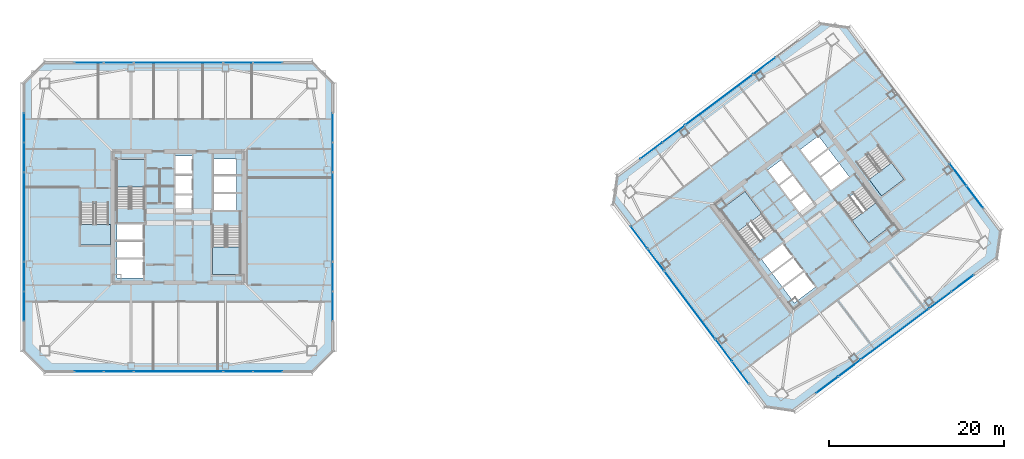
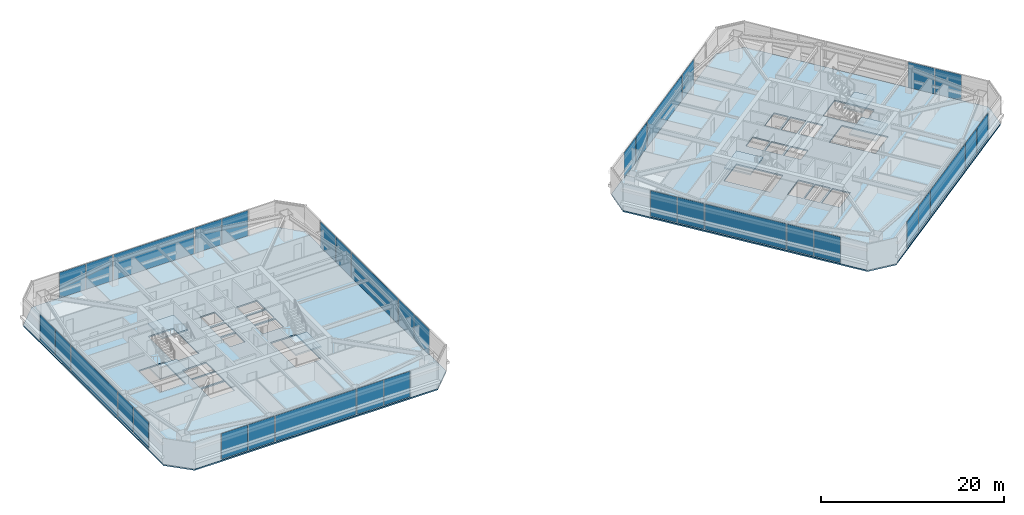
# One storey, part 31 of 43: 36 plates, 8 slabs, 28 elements without a shape of their own.
"""IFC4 building model written with IfcOpenShell, lengths in metres."""

from ifc_helpers import new_model, si_unit, direction, frame, origin, origin_2d, place, context, subcontext, project, spatial, polyline, rectangle, outline, extrude, material, layer, layer_set, type_object, element, aggregate, save


model = new_model("IFC4")

# Units and contexts
model_context = context("Model", 3, precision=1e-05, world=origin(), true_north=direction((0.0, 1.0)))
body_context = subcontext(model_context, "Body", "Model", "MODEL_VIEW")
ifc_project = project(units=[si_unit("LENGTHUNIT", "METRE"), si_unit("AREAUNIT", "SQUARE_METRE"), si_unit("VOLUMEUNIT", "CUBIC_METRE"), si_unit("PLANEANGLEUNIT", "RADIAN"), si_unit("MASSUNIT", "GRAM", prefix="KILO")], contexts=[model_context])

# Site, building, storey
site_placement = place(None, origin())
site = spatial("IfcSite", under=ifc_project, at=site_placement, CompositionType="ELEMENT")
building_placement = place(site_placement, origin())
building = spatial("IfcBuilding", under=site, at=building_placement, Name="Tashvorn Skyway Center", CompositionType="ELEMENT")
storey_placement = place(building_placement, frame((0.0, 0.0, 160.550048828125)))
storey = spatial("IfcBuildingStorey", under=building, at=storey_placement, Name="L43", CompositionType="ELEMENT", Elevation=160.550048828125)

# Curtain wall, plates
ifc_material_1 = material(Name="Thermally broken bronze-anodized aluminium 6063-T6", Category="aluminium")
curtain_wall_type = type_object("IfcCurtainWallType", Name="CW-CW-Z4", PredefinedType="NOTDEFINED", material=ifc_material_1)
curtain_wall_1_placement = place(storey_placement, origin())
curtain_wall_1 = element("IfcCurtainWall", 1, at=curtain_wall_1_placement, inside=storey, type_object=curtain_wall_type, Name="Tower 1 L43 South Unitised Curtain Wall Glazing Group 1", PredefinedType="NOTDEFINED")
ifc_material_2 = material(Name="Low-E solar-control double insulating safety glass", Category="glass")
ifc_layer_1 = layer(ifc_material_2, 0.035888671875)
ifc_layer_set_1 = layer_set([ifc_layer_1], Name="Low-E solar-control double insulating safety glass")
plate_type = type_object("IfcPlateType", Name="CWP-CW-Z4", PredefinedType="CURTAIN_PANEL", material=ifc_layer_set_1)
plate_1_placement = place(storey_placement, frame((52.23583984375, 14.320068359375, 0.06982421875), z_axis=(0.0, 0.0, 1.0), x_axis=(-1.0, 0.0, 0.0)))
plate_1 = element("IfcPlate", 2, at=plate_1_placement, type_object=plate_type, Name="CW-Z4 panel 1.1", PredefinedType="CURTAIN_PANEL", context=body_context, shape_type="SweptSolid", body=[
    extrude(rectangle(XDim=3.312744140625, YDim=0.035888671875, at=origin_2d()), origin(), (0.0, 0.0, 1.0), 3.409912109375),
])
plate_2_placement = place(storey_placement, frame((48.85302734375, 14.320068359375, 0.06982421875), z_axis=(0.0, 0.0, 1.0), x_axis=(-1.0, 0.0, 0.0)))
plate_2 = element("IfcPlate", 3, at=plate_2_placement, type_object=plate_type, Name="CW-Z4 panel 2.1", PredefinedType="CURTAIN_PANEL", context=body_context, shape_type="SweptSolid", body=[
    extrude(rectangle(XDim=3.312744140625, YDim=0.035888671875, at=origin_2d()), origin(), (0.0, 0.0, 1.0), 3.409912109375),
])
aggregate(curtain_wall_1, [plate_1, plate_2])

# Curtain wall, plate
curtain_wall_2_placement = place(storey_placement, origin())
curtain_wall_2 = element("IfcCurtainWall", 4, at=curtain_wall_2_placement, inside=storey, type_object=curtain_wall_type, Name="Tower 1 L43 South Unitised Curtain Wall Glazing Group 2", PredefinedType="NOTDEFINED")
plate_3_placement = place(storey_placement, frame((42.0, 14.320068359375, 0.06982421875), z_axis=(0.0, 0.0, 1.0), x_axis=(-1.0, 0.0, 0.0)))
plate_3 = element("IfcPlate", 5, at=plate_3_placement, type_object=plate_type, Name="CW-Z4 panel 1.1", PredefinedType="CURTAIN_PANEL", context=body_context, shape_type="SweptSolid", body=[
    extrude(rectangle(XDim=10.11328125, YDim=0.035888671875, at=origin_2d()), origin(), (0.0, 0.0, 1.0), 3.409912109375),
])
aggregate(curtain_wall_2, [plate_3])

# Curtain wall, plates
curtain_wall_3_placement = place(storey_placement, origin())
curtain_wall_3 = element("IfcCurtainWall", 6, at=curtain_wall_3_placement, inside=storey, type_object=curtain_wall_type, Name="Tower 1 L43 South Unitised Curtain Wall Glazing Group 3", PredefinedType="NOTDEFINED")
plate_4_placement = place(storey_placement, frame((35.14697265625, 14.320068359375, 0.06982421875), z_axis=(0.0, 0.0, 1.0), x_axis=(-1.0, 0.0, 0.0)))
plate_4 = element("IfcPlate", 7, at=plate_4_placement, type_object=plate_type, Name="CW-Z4 panel 1.1", PredefinedType="CURTAIN_PANEL", context=body_context, shape_type="SweptSolid", body=[
    extrude(rectangle(XDim=3.312744140625, YDim=0.035888671875, at=origin_2d()), origin(), (0.0, 0.0, 1.0), 3.409912109375),
])
plate_5_placement = place(storey_placement, frame((31.76416015625, 14.320068359375, 0.06982421875), z_axis=(0.0, 0.0, 1.0), x_axis=(-1.0, 0.0, 0.0)))
plate_5 = element("IfcPlate", 8, at=plate_5_placement, type_object=plate_type, Name="CW-Z4 panel 2.1", PredefinedType="CURTAIN_PANEL", context=body_context, shape_type="SweptSolid", body=[
    extrude(rectangle(XDim=3.312744140625, YDim=0.035888671875, at=origin_2d()), origin(), (0.0, 0.0, 1.0), 3.409912109375),
])
aggregate(curtain_wall_3, [plate_4, plate_5])

curtain_wall_4_placement = place(storey_placement, origin())
curtain_wall_4 = element("IfcCurtainWall", 9, at=curtain_wall_4_placement, inside=storey, type_object=curtain_wall_type, Name="Tower 1 L43 West Unitised Curtain Wall Glazing Group 1", PredefinedType="NOTDEFINED")
plate_6_placement = place(storey_placement, frame((24.320068359375, 21.76416015625, 0.06982421875), z_axis=(0.0, 0.0, 1.0), x_axis=(0.0, 1.0, 0.0)))
plate_6 = element("IfcPlate", 10, at=plate_6_placement, type_object=plate_type, Name="CW-Z4 panel 1.1", PredefinedType="CURTAIN_PANEL", context=body_context, shape_type="SweptSolid", body=[
    extrude(rectangle(XDim=3.312744140625, YDim=0.035888671875, at=origin_2d()), origin(), (0.0, 0.0, 1.0), 3.409912109375),
])
plate_7_placement = place(storey_placement, frame((24.320068359375, 25.14697265625, 0.06982421875), z_axis=(0.0, 0.0, 1.0), x_axis=(0.0, 1.0, 0.0)))
plate_7 = element("IfcPlate", 11, at=plate_7_placement, type_object=plate_type, Name="CW-Z4 panel 2.1", PredefinedType="CURTAIN_PANEL", context=body_context, shape_type="SweptSolid", body=[
    extrude(rectangle(XDim=3.312744140625, YDim=0.035888671875, at=origin_2d()), origin(), (0.0, 0.0, 1.0), 3.409912109375),
])
aggregate(curtain_wall_4, [plate_6, plate_7])

# Curtain wall, plate
curtain_wall_5_placement = place(storey_placement, origin())
curtain_wall_5 = element("IfcCurtainWall", 12, at=curtain_wall_5_placement, inside=storey, type_object=curtain_wall_type, Name="Tower 1 L43 West Unitised Curtain Wall Glazing Group 2", PredefinedType="NOTDEFINED")
plate_8_placement = place(storey_placement, frame((24.320068359375, 32.0, 0.06982421875), z_axis=(0.0, 0.0, 1.0), x_axis=(0.0, 1.0, 0.0)))
plate_8 = element("IfcPlate", 13, at=plate_8_placement, type_object=plate_type, Name="CW-Z4 panel 1.1", PredefinedType="CURTAIN_PANEL", context=body_context, shape_type="SweptSolid", body=[
    extrude(rectangle(XDim=10.11328125, YDim=0.035888671875, at=origin_2d()), origin(), (0.0, 0.0, 1.0), 3.409912109375),
])
aggregate(curtain_wall_5, [plate_8])

# Curtain wall, plates
curtain_wall_6_placement = place(storey_placement, origin())
curtain_wall_6 = element("IfcCurtainWall", 14, at=curtain_wall_6_placement, inside=storey, type_object=curtain_wall_type, Name="Tower 1 L43 West Unitised Curtain Wall Glazing Group 3", PredefinedType="NOTDEFINED")
plate_9_placement = place(storey_placement, frame((24.320068359375, 38.85302734375, 0.06982421875), z_axis=(0.0, 0.0, 1.0), x_axis=(0.0, 1.0, 0.0)))
plate_9 = element("IfcPlate", 15, at=plate_9_placement, type_object=plate_type, Name="CW-Z4 panel 1.1", PredefinedType="CURTAIN_PANEL", context=body_context, shape_type="SweptSolid", body=[
    extrude(rectangle(XDim=3.312744140625, YDim=0.035888671875, at=origin_2d()), origin(), (0.0, 0.0, 1.0), 3.409912109375),
])
plate_10_placement = place(storey_placement, frame((24.320068359375, 42.23583984375, 0.06982421875), z_axis=(0.0, 0.0, 1.0), x_axis=(0.0, 1.0, 0.0)))
plate_10 = element("IfcPlate", 16, at=plate_10_placement, type_object=plate_type, Name="CW-Z4 panel 2.1", PredefinedType="CURTAIN_PANEL", context=body_context, shape_type="SweptSolid", body=[
    extrude(rectangle(XDim=3.312744140625, YDim=0.035888671875, at=origin_2d()), origin(), (0.0, 0.0, 1.0), 3.409912109375),
])
aggregate(curtain_wall_6, [plate_9, plate_10])

curtain_wall_7_placement = place(storey_placement, origin())
curtain_wall_7 = element("IfcCurtainWall", 17, at=curtain_wall_7_placement, inside=storey, type_object=curtain_wall_type, Name="Tower 1 L43 North Unitised Curtain Wall Glazing Group 1", PredefinedType="NOTDEFINED")
plate_11_placement = place(storey_placement, frame((31.76416015625, 49.679931640625, 0.06982421875), z_axis=(0.0, 0.0, 1.0), x_axis=(1.0, 0.0, 0.0)))
plate_11 = element("IfcPlate", 18, at=plate_11_placement, type_object=plate_type, Name="CW-Z4 panel 1.1", PredefinedType="CURTAIN_PANEL", context=body_context, shape_type="SweptSolid", body=[
    extrude(rectangle(XDim=3.312744140625, YDim=0.035888671875, at=origin_2d()), origin(), (0.0, 0.0, 1.0), 3.409912109375),
])
plate_12_placement = place(storey_placement, frame((35.14697265625, 49.679931640625, 0.06982421875), z_axis=(0.0, 0.0, 1.0), x_axis=(1.0, 0.0, 0.0)))
plate_12 = element("IfcPlate", 19, at=plate_12_placement, type_object=plate_type, Name="CW-Z4 panel 2.1", PredefinedType="CURTAIN_PANEL", context=body_context, shape_type="SweptSolid", body=[
    extrude(rectangle(XDim=3.312744140625, YDim=0.035888671875, at=origin_2d()), origin(), (0.0, 0.0, 1.0), 3.409912109375),
])
aggregate(curtain_wall_7, [plate_11, plate_12])

# Curtain wall, plate
curtain_wall_8_placement = place(storey_placement, origin())
curtain_wall_8 = element("IfcCurtainWall", 20, at=curtain_wall_8_placement, inside=storey, type_object=curtain_wall_type, Name="Tower 1 L43 North Unitised Curtain Wall Glazing Group 2", PredefinedType="NOTDEFINED")
plate_13_placement = place(storey_placement, frame((42.0, 49.679931640625, 0.06982421875), z_axis=(0.0, 0.0, 1.0), x_axis=(1.0, 0.0, 0.0)))
plate_13 = element("IfcPlate", 21, at=plate_13_placement, type_object=plate_type, Name="CW-Z4 panel 1.1", PredefinedType="CURTAIN_PANEL", context=body_context, shape_type="SweptSolid", body=[
    extrude(rectangle(XDim=10.11328125, YDim=0.035888671875, at=origin_2d()), origin(), (0.0, 0.0, 1.0), 3.409912109375),
])
aggregate(curtain_wall_8, [plate_13])

# Curtain wall, plates
curtain_wall_9_placement = place(storey_placement, origin())
curtain_wall_9 = element("IfcCurtainWall", 22, at=curtain_wall_9_placement, inside=storey, type_object=curtain_wall_type, Name="Tower 1 L43 North Unitised Curtain Wall Glazing Group 3", PredefinedType="NOTDEFINED")
plate_14_placement = place(storey_placement, frame((48.85302734375, 49.679931640625, 0.06982421875), z_axis=(0.0, 0.0, 1.0), x_axis=(1.0, 0.0, 0.0)))
plate_14 = element("IfcPlate", 23, at=plate_14_placement, type_object=plate_type, Name="CW-Z4 panel 1.1", PredefinedType="CURTAIN_PANEL", context=body_context, shape_type="SweptSolid", body=[
    extrude(rectangle(XDim=3.312744140625, YDim=0.035888671875, at=origin_2d()), origin(), (0.0, 0.0, 1.0), 3.409912109375),
])
plate_15_placement = place(storey_placement, frame((52.23583984375, 49.679931640625, 0.06982421875), z_axis=(0.0, 0.0, 1.0), x_axis=(1.0, 0.0, 0.0)))
plate_15 = element("IfcPlate", 24, at=plate_15_placement, type_object=plate_type, Name="CW-Z4 panel 2.1", PredefinedType="CURTAIN_PANEL", context=body_context, shape_type="SweptSolid", body=[
    extrude(rectangle(XDim=3.312744140625, YDim=0.035888671875, at=origin_2d()), origin(), (0.0, 0.0, 1.0), 3.409912109375),
])
aggregate(curtain_wall_9, [plate_14, plate_15])

curtain_wall_10_placement = place(storey_placement, origin())
curtain_wall_10 = element("IfcCurtainWall", 25, at=curtain_wall_10_placement, inside=storey, type_object=curtain_wall_type, Name="Tower 1 L43 East Unitised Curtain Wall Glazing Group 1", PredefinedType="NOTDEFINED")
plate_16_placement = place(storey_placement, frame((59.679931640625, 42.23583984375, 0.06982421875), z_axis=(0.0, 0.0, 1.0), x_axis=(0.0, -1.0, 0.0)))
plate_16 = element("IfcPlate", 26, at=plate_16_placement, type_object=plate_type, Name="CW-Z4 panel 1.1", PredefinedType="CURTAIN_PANEL", context=body_context, shape_type="SweptSolid", body=[
    extrude(rectangle(XDim=3.312744140625, YDim=0.035888671875, at=origin_2d()), origin(), (0.0, 0.0, 1.0), 3.409912109375),
])
plate_17_placement = place(storey_placement, frame((59.679931640625, 38.85302734375, 0.06982421875), z_axis=(0.0, 0.0, 1.0), x_axis=(0.0, -1.0, 0.0)))
plate_17 = element("IfcPlate", 27, at=plate_17_placement, type_object=plate_type, Name="CW-Z4 panel 2.1", PredefinedType="CURTAIN_PANEL", context=body_context, shape_type="SweptSolid", body=[
    extrude(rectangle(XDim=3.312744140625, YDim=0.035888671875, at=origin_2d()), origin(), (0.0, 0.0, 1.0), 3.409912109375),
])
aggregate(curtain_wall_10, [plate_16, plate_17])

# Curtain wall, plate
curtain_wall_11_placement = place(storey_placement, origin())
curtain_wall_11 = element("IfcCurtainWall", 28, at=curtain_wall_11_placement, inside=storey, type_object=curtain_wall_type, Name="Tower 1 L43 East Unitised Curtain Wall Glazing Group 2", PredefinedType="NOTDEFINED")
plate_18_placement = place(storey_placement, frame((59.679931640625, 32.0, 0.06982421875), z_axis=(0.0, 0.0, 1.0), x_axis=(0.0, -1.0, 0.0)))
plate_18 = element("IfcPlate", 29, at=plate_18_placement, type_object=plate_type, Name="CW-Z4 panel 1.1", PredefinedType="CURTAIN_PANEL", context=body_context, shape_type="SweptSolid", body=[
    extrude(rectangle(XDim=10.11328125, YDim=0.035888671875, at=origin_2d()), origin(), (0.0, 0.0, 1.0), 3.409912109375),
])
aggregate(curtain_wall_11, [plate_18])

# Curtain wall, plates
curtain_wall_12_placement = place(storey_placement, origin())
curtain_wall_12 = element("IfcCurtainWall", 30, at=curtain_wall_12_placement, inside=storey, type_object=curtain_wall_type, Name="Tower 1 L43 East Unitised Curtain Wall Glazing Group 3", PredefinedType="NOTDEFINED")
plate_19_placement = place(storey_placement, frame((59.679931640625, 25.14697265625, 0.06982421875), z_axis=(0.0, 0.0, 1.0), x_axis=(0.0, -1.0, 0.0)))
plate_19 = element("IfcPlate", 31, at=plate_19_placement, type_object=plate_type, Name="CW-Z4 panel 1.1", PredefinedType="CURTAIN_PANEL", context=body_context, shape_type="SweptSolid", body=[
    extrude(rectangle(XDim=3.312744140625, YDim=0.035888671875, at=origin_2d()), origin(), (0.0, 0.0, 1.0), 3.409912109375),
])
plate_20_placement = place(storey_placement, frame((59.679931640625, 21.76416015625, 0.06982421875), z_axis=(0.0, 0.0, 1.0), x_axis=(0.0, -1.0, 0.0)))
plate_20 = element("IfcPlate", 32, at=plate_20_placement, type_object=plate_type, Name="CW-Z4 panel 2.1", PredefinedType="CURTAIN_PANEL", context=body_context, shape_type="SweptSolid", body=[
    extrude(rectangle(XDim=3.312744140625, YDim=0.035888671875, at=origin_2d()), origin(), (0.0, 0.0, 1.0), 3.409912109375),
])
aggregate(curtain_wall_12, [plate_19, plate_20])

curtain_wall_13_placement = place(storey_placement, origin())
curtain_wall_13 = element("IfcCurtainWall", 33, at=curtain_wall_13_placement, inside=storey, type_object=curtain_wall_type, Name="Tower 2 L43 South Unitised Curtain Wall Glazing Group 1", PredefinedType="NOTDEFINED")
plate_21_placement = place(storey_placement, frame((131.830078125, 24.3974609375, 0.06982421875), z_axis=(0.0, 0.0, 1.0), x_axis=(-0.799999999998, -0.600000000002, 0.0)))
plate_21 = element("IfcPlate", 34, at=plate_21_placement, type_object=plate_type, Name="CW-Z4 panel 1.1", PredefinedType="CURTAIN_PANEL", context=body_context, shape_type="SweptSolid", body=[
    extrude(rectangle(XDim=3.135009765625, YDim=0.035888671875, at=origin_2d()), origin(), (0.0, 0.0, 1.0), 3.409912109375),
])
plate_22_placement = place(storey_placement, frame((129.26611328125, 22.474609375, 0.06982421875), z_axis=(0.0, 0.0, 1.0), x_axis=(-0.799999999998, -0.600000000002, 0.0)))
plate_22 = element("IfcPlate", 35, at=plate_22_placement, type_object=plate_type, Name="CW-Z4 panel 2.1", PredefinedType="CURTAIN_PANEL", context=body_context, shape_type="SweptSolid", body=[
    extrude(rectangle(XDim=3.135009765625, YDim=0.035888671875, at=origin_2d()), origin(), (0.0, 0.0, 1.0), 3.409912109375),
])
aggregate(curtain_wall_13, [plate_21, plate_22])

# Curtain wall, plate
curtain_wall_14_placement = place(storey_placement, origin())
curtain_wall_14 = element("IfcCurtainWall", 36, at=curtain_wall_14_placement, inside=storey, type_object=curtain_wall_type, Name="Tower 2 L43 South Unitised Curtain Wall Glazing Group 2", PredefinedType="NOTDEFINED")
plate_23_placement = place(storey_placement, frame((124.068115234375, 18.575927734375, 0.06982421875), z_axis=(0.0, 0.0, 1.0), x_axis=(-0.799999999998, -0.600000000002, 0.0)))
plate_23 = element("IfcPlate", 37, at=plate_23_placement, type_object=plate_type, Name="CW-Z4 panel 1.1", PredefinedType="CURTAIN_PANEL", context=body_context, shape_type="SweptSolid", body=[
    extrude(rectangle(XDim=9.580078125, YDim=0.035888671875, at=origin_2d()), origin(), (0.0, 0.0, 1.0), 3.409912109375),
])
aggregate(curtain_wall_14, [plate_23])

# Curtain wall, plates
curtain_wall_15_placement = place(storey_placement, origin())
curtain_wall_15 = element("IfcCurtainWall", 38, at=curtain_wall_15_placement, inside=storey, type_object=curtain_wall_type, Name="Tower 2 L43 South Unitised Curtain Wall Glazing Group 3", PredefinedType="NOTDEFINED")
plate_24_placement = place(storey_placement, frame((118.8701171875, 14.677490234375, 0.06982421875), z_axis=(0.0, 0.0, 1.0), x_axis=(-0.799999999998, -0.600000000002, 0.0)))
plate_24 = element("IfcPlate", 39, at=plate_24_placement, type_object=plate_type, Name="CW-Z4 panel 1.1", PredefinedType="CURTAIN_PANEL", context=body_context, shape_type="SweptSolid", body=[
    extrude(rectangle(XDim=3.135009765625, YDim=0.035888671875, at=origin_2d()), origin(), (0.0, 0.0, 1.0), 3.409912109375),
])
plate_25_placement = place(storey_placement, frame((116.305908203125, 12.75439453125, 0.06982421875), z_axis=(0.0, 0.0, 1.0), x_axis=(-0.799999999998, -0.600000000002, 0.0)))
plate_25 = element("IfcPlate", 40, at=plate_25_placement, type_object=plate_type, Name="CW-Z4 panel 2.1", PredefinedType="CURTAIN_PANEL", context=body_context, shape_type="SweptSolid", body=[
    extrude(rectangle(XDim=3.135009765625, YDim=0.035888671875, at=origin_2d()), origin(), (0.0, 0.0, 1.0), 3.409912109375),
])
aggregate(curtain_wall_15, [plate_24, plate_25])

curtain_wall_16_placement = place(storey_placement, origin())
curtain_wall_16 = element("IfcCurtainWall", 41, at=curtain_wall_16_placement, inside=storey, type_object=curtain_wall_type, Name="Tower 2 L43 West Unitised Curtain Wall Glazing Group 1", PredefinedType="NOTDEFINED")
plate_26_placement = place(storey_placement, frame((106.3974609375, 14.169921875, 0.06982421875), z_axis=(0.0, 0.0, 1.0), x_axis=(-0.600000000002, 0.799999999998, 0.0)))
plate_26 = element("IfcPlate", 42, at=plate_26_placement, type_object=plate_type, Name="CW-Z4 panel 1.1", PredefinedType="CURTAIN_PANEL", context=body_context, shape_type="SweptSolid", body=[
    extrude(rectangle(XDim=3.135009765625, YDim=0.035888671875, at=origin_2d()), origin(), (0.0, 0.0, 1.0), 3.409912109375),
])
plate_27_placement = place(storey_placement, frame((104.474609375, 16.73388671875, 0.06982421875), z_axis=(0.0, 0.0, 1.0), x_axis=(-0.600000000002, 0.799999999998, 0.0)))
plate_27 = element("IfcPlate", 43, at=plate_27_placement, type_object=plate_type, Name="CW-Z4 panel 2.1", PredefinedType="CURTAIN_PANEL", context=body_context, shape_type="SweptSolid", body=[
    extrude(rectangle(XDim=3.135009765625, YDim=0.035888671875, at=origin_2d()), origin(), (0.0, 0.0, 1.0), 3.409912109375),
])
aggregate(curtain_wall_16, [plate_26, plate_27])

# Curtain wall, plate
curtain_wall_17_placement = place(storey_placement, origin())
curtain_wall_17 = element("IfcCurtainWall", 44, at=curtain_wall_17_placement, inside=storey, type_object=curtain_wall_type, Name="Tower 2 L43 West Unitised Curtain Wall Glazing Group 2", PredefinedType="NOTDEFINED")
plate_28_placement = place(storey_placement, frame((100.575927734375, 21.931884765625, 0.06982421875), z_axis=(0.0, 0.0, 1.0), x_axis=(-0.600000000002, 0.799999999998, 0.0)))
plate_28 = element("IfcPlate", 45, at=plate_28_placement, type_object=plate_type, Name="CW-Z4 panel 1.1", PredefinedType="CURTAIN_PANEL", context=body_context, shape_type="SweptSolid", body=[
    extrude(rectangle(XDim=9.580078125, YDim=0.035888671875, at=origin_2d()), origin(), (0.0, 0.0, 1.0), 3.409912109375),
])
aggregate(curtain_wall_17, [plate_28])

# Curtain wall, plates
curtain_wall_18_placement = place(storey_placement, origin())
curtain_wall_18 = element("IfcCurtainWall", 46, at=curtain_wall_18_placement, inside=storey, type_object=curtain_wall_type, Name="Tower 2 L43 West Unitised Curtain Wall Glazing Group 3", PredefinedType="NOTDEFINED")
plate_29_placement = place(storey_placement, frame((96.677490234375, 27.1298828125, 0.06982421875), z_axis=(0.0, 0.0, 1.0), x_axis=(-0.600000000002, 0.799999999998, 0.0)))
plate_29 = element("IfcPlate", 47, at=plate_29_placement, type_object=plate_type, Name="CW-Z4 panel 1.1", PredefinedType="CURTAIN_PANEL", context=body_context, shape_type="SweptSolid", body=[
    extrude(rectangle(XDim=3.135009765625, YDim=0.035888671875, at=origin_2d()), origin(), (0.0, 0.0, 1.0), 3.409912109375),
])
plate_30_placement = place(storey_placement, frame((94.75439453125, 29.694091796875, 0.06982421875), z_axis=(0.0, 0.0, 1.0), x_axis=(-0.600000000002, 0.799999999998, 0.0)))
plate_30 = element("IfcPlate", 48, at=plate_30_placement, type_object=plate_type, Name="CW-Z4 panel 2.1", PredefinedType="CURTAIN_PANEL", context=body_context, shape_type="SweptSolid", body=[
    extrude(rectangle(XDim=3.135009765625, YDim=0.035888671875, at=origin_2d()), origin(), (0.0, 0.0, 1.0), 3.409912109375),
])
aggregate(curtain_wall_18, [plate_29, plate_30])

curtain_wall_19_placement = place(storey_placement, origin())
curtain_wall_19 = element("IfcCurtainWall", 49, at=curtain_wall_19_placement, inside=storey, type_object=curtain_wall_type, Name="Tower 2 L43 North Unitised Curtain Wall Glazing Group 1", PredefinedType="NOTDEFINED")
plate_31_placement = place(storey_placement, frame((96.169921875, 39.6025390625, 0.06982421875), z_axis=(0.0, 0.0, 1.0), x_axis=(0.799999999998, 0.600000000002, 0.0)))
plate_31 = element("IfcPlate", 50, at=plate_31_placement, type_object=plate_type, Name="CW-Z4 panel 1.1", PredefinedType="CURTAIN_PANEL", context=body_context, shape_type="SweptSolid", body=[
    extrude(rectangle(XDim=3.135009765625, YDim=0.035888671875, at=origin_2d()), origin(), (0.0, 0.0, 1.0), 3.409912109375),
])
plate_32_placement = place(storey_placement, frame((98.73388671875, 41.525390625, 0.06982421875), z_axis=(0.0, 0.0, 1.0), x_axis=(0.799999999998, 0.600000000002, 0.0)))
plate_32 = element("IfcPlate", 51, at=plate_32_placement, type_object=plate_type, Name="CW-Z4 panel 2.1", PredefinedType="CURTAIN_PANEL", context=body_context, shape_type="SweptSolid", body=[
    extrude(rectangle(XDim=3.135009765625, YDim=0.035888671875, at=origin_2d()), origin(), (0.0, 0.0, 1.0), 3.409912109375),
])
aggregate(curtain_wall_19, [plate_31, plate_32])

# Curtain wall, plate
curtain_wall_20_placement = place(storey_placement, origin())
curtain_wall_20 = element("IfcCurtainWall", 52, at=curtain_wall_20_placement, inside=storey, type_object=curtain_wall_type, Name="Tower 2 L43 North Unitised Curtain Wall Glazing Group 2", PredefinedType="NOTDEFINED")
plate_33_placement = place(storey_placement, frame((103.931884765625, 45.424072265625, 0.06982421875), z_axis=(0.0, 0.0, 1.0), x_axis=(0.799999999998, 0.600000000002, 0.0)))
plate_33 = element("IfcPlate", 53, at=plate_33_placement, type_object=plate_type, Name="CW-Z4 panel 1.1", PredefinedType="CURTAIN_PANEL", context=body_context, shape_type="SweptSolid", body=[
    extrude(rectangle(XDim=9.580078125, YDim=0.035888671875, at=origin_2d()), origin(), (0.0, 0.0, 1.0), 3.409912109375),
])
aggregate(curtain_wall_20, [plate_33])

curtain_wall_21_placement = place(storey_placement, origin())
curtain_wall_21 = element("IfcCurtainWall", 54, at=curtain_wall_21_placement, inside=storey, type_object=curtain_wall_type, Name="Tower 2 L43 North Unitised Curtain Wall Glazing Group 3", PredefinedType="NOTDEFINED")
plate_34_placement = place(storey_placement, frame((109.1298828125, 49.322509765625, 0.06982421875), z_axis=(0.0, 0.0, 1.0), x_axis=(0.799999999998, 0.600000000002, 0.0)))
plate_34 = element("IfcPlate", 55, at=plate_34_placement, type_object=plate_type, Name="CW-Z4 panel 1.1", PredefinedType="CURTAIN_PANEL", context=body_context, shape_type="SweptSolid", body=[
    extrude(rectangle(XDim=3.135009765625, YDim=0.035888671875, at=origin_2d()), origin(), (0.0, 0.0, 1.0), 3.409912109375),
])
aggregate(curtain_wall_21, [plate_34])

# Curtain wall, plates
curtain_wall_22_placement = place(storey_placement, origin())
curtain_wall_22 = element("IfcCurtainWall", 56, at=curtain_wall_22_placement, inside=storey, type_object=curtain_wall_type, Name="Tower 2 L43 East Unitised Curtain Wall Glazing Group 3", PredefinedType="NOTDEFINED")
plate_35_placement = place(storey_placement, frame((131.322509765625, 36.8701171875, 0.06982421875), z_axis=(0.0, 0.0, 1.0), x_axis=(0.600000000002, -0.799999999998, 0.0)))
plate_35 = element("IfcPlate", 57, at=plate_35_placement, type_object=plate_type, Name="CW-Z4 panel 1.1", PredefinedType="CURTAIN_PANEL", context=body_context, shape_type="SweptSolid", body=[
    extrude(rectangle(XDim=3.135009765625, YDim=0.035888671875, at=origin_2d()), origin(), (0.0, 0.0, 1.0), 3.409912109375),
])
plate_36_placement = place(storey_placement, frame((133.24560546875, 34.305908203125, 0.06982421875), z_axis=(0.0, 0.0, 1.0), x_axis=(0.600000000002, -0.799999999998, 0.0)))
plate_36 = element("IfcPlate", 58, at=plate_36_placement, type_object=plate_type, Name="CW-Z4 panel 2.1", PredefinedType="CURTAIN_PANEL", context=body_context, shape_type="SweptSolid", body=[
    extrude(rectangle(XDim=3.135009765625, YDim=0.035888671875, at=origin_2d()), origin(), (0.0, 0.0, 1.0), 3.409912109375),
])
aggregate(curtain_wall_22, [plate_35, plate_36])

# Slabs
ifc_material_3 = material(Name="Concrete C40/50", Category="concrete")
ifc_layer_2 = layer(ifc_material_3, 0.179931640625)
ifc_layer_set_2 = layer_set([ifc_layer_2], Name="Concrete C40/50")
slab_type_1 = type_object("IfcSlabType", Name="SLAB-FLR-180", PredefinedType="FLOOR", material=ifc_layer_set_2)
slab_1_placement = place(storey_placement, frame((0.0, 0.0, -0.179931640625)))
element("IfcSlab", 59, at=slab_1_placement, inside=storey, type_object=slab_type_1, Name="Tower 1 L43 Composite Floor Slab", PredefinedType="FLOOR", context=body_context, shape_type="SweptSolid", body=[
    extrude(outline(polyline([(26.699951171875, 14.199951171875), (57.300048828125, 14.199951171875), (59.800048828125, 16.699951171875), (59.800048828125, 47.300048828125), (57.300048828125, 49.800048828125), (26.699951171875, 49.800048828125), (24.199951171875, 47.300048828125), (24.199951171875, 16.699951171875), (26.699951171875, 14.199951171875)]), holes=[polyline([(38.10009765625, 33.080078125), (38.10009765625, 38.60009765625), (34.89990234375, 38.60009765625), (34.89990234375, 33.080078125), (38.10009765625, 33.080078125)]), polyline([(45.89990234375, 30.919921875), (45.89990234375, 25.39990234375), (49.10009765625, 25.39990234375), (49.10009765625, 30.919921875), (45.89990234375, 30.919921875)]), polyline([(30.800048828125, 33.52001953125), (30.800048828125, 28.800048828125), (34.0, 28.800048828125), (34.0, 33.52001953125), (30.800048828125, 33.52001953125)]), polyline([(34.949951171875, 29.35009765625), (37.949951171875, 29.35009765625), (37.949951171875, 31.199951171875), (34.949951171875, 31.199951171875), (34.949951171875, 29.35009765625)]), polyline([(34.949951171875, 27.35009765625), (37.949951171875, 27.35009765625), (37.949951171875, 29.199951171875), (34.949951171875, 29.199951171875), (34.949951171875, 27.35009765625)]), polyline([(34.949951171875, 25.0), (37.949951171875, 25.0), (37.949951171875, 27.14990234375), (34.949951171875, 27.14990234375), (34.949951171875, 25.0)]), polyline([(41.64990234375, 32.449951171875), (43.550048828125, 32.449951171875), (43.550048828125, 34.5), (41.64990234375, 34.5), (41.64990234375, 32.449951171875)]), polyline([(41.64990234375, 34.699951171875), (43.550048828125, 34.699951171875), (43.550048828125, 36.75), (41.64990234375, 36.75), (41.64990234375, 34.699951171875)]), polyline([(41.64990234375, 36.949951171875), (43.550048828125, 36.949951171875), (43.550048828125, 39.0), (41.64990234375, 39.0), (41.64990234375, 36.949951171875)]), polyline([(46.050048828125, 32.800048828125), (48.64990234375, 32.800048828125), (48.64990234375, 34.64990234375), (46.050048828125, 34.64990234375), (46.050048828125, 32.800048828125)]), polyline([(46.050048828125, 34.85009765625), (48.64990234375, 34.85009765625), (48.64990234375, 36.699951171875), (46.050048828125, 36.699951171875), (46.050048828125, 34.85009765625)]), polyline([(46.050048828125, 36.89990234375), (48.64990234375, 36.89990234375), (48.64990234375, 38.64990234375), (46.050048828125, 38.64990234375), (46.050048828125, 36.89990234375)])]), origin(), (0.0, 0.0, 1.0), 0.179931640625),
])
slab_2_placement = place(storey_placement, frame((0.0, 0.0, -0.179931640625)))
element("IfcSlab", 60, at=slab_2_placement, inside=storey, type_object=slab_type_1, Name="Tower 2 L43 Composite Floor Slab", PredefinedType="FLOOR", context=body_context, shape_type="SweptSolid", body=[
    extrude(outline(polyline([(112.5400390625, 9.780029296875), (135.739990234375, 27.179931640625), (136.219970703125, 30.5400390625), (118.820068359375, 53.739990234375), (115.4599609375, 54.219970703125), (92.260009765625, 36.820068359375), (91.780029296875, 33.4599609375), (109.179931640625, 10.260009765625), (112.5400390625, 9.780029296875)]), holes=[polyline([(110.23193359375, 30.52392578125), (106.919921875, 34.93994140625), (104.135986328125, 32.85205078125), (107.447998046875, 28.43603515625), (110.23193359375, 30.52392578125)]), polyline([(117.76806640625, 33.47607421875), (121.080078125, 29.06005859375), (123.864013671875, 31.14794921875), (120.552001953125, 35.56396484375), (117.76806640625, 33.47607421875)]), polyline([(119.7119140625, 38.18408203125), (122.5439453125, 34.407958984375), (125.10400390625, 36.327880859375), (122.27197265625, 40.10400390625), (119.7119140625, 38.18408203125)]), polyline([(109.949951171875, 25.64990234375), (112.35009765625, 27.449951171875), (111.239990234375, 28.929931640625), (108.840087890625, 27.1298828125), (109.949951171875, 25.64990234375)]), polyline([(111.14990234375, 24.050048828125), (113.550048828125, 25.85009765625), (112.43994140625, 27.330078125), (110.0400390625, 25.530029296875), (111.14990234375, 24.050048828125)]), polyline([(112.56005859375, 22.169921875), (114.9599609375, 23.969970703125), (113.669921875, 25.68994140625), (111.27001953125, 23.889892578125), (112.56005859375, 22.169921875)]), polyline([(113.449951171875, 32.14990234375), (114.969970703125, 33.2900390625), (113.739990234375, 34.929931640625), (112.219970703125, 33.7900390625), (113.449951171875, 32.14990234375)]), polyline([(112.10009765625, 33.949951171875), (113.6201171875, 35.090087890625), (112.389892578125, 36.72998046875), (110.8701171875, 35.590087890625), (112.10009765625, 33.949951171875)]), polyline([(110.75, 35.75), (112.27001953125, 36.889892578125), (111.0400390625, 38.530029296875), (109.52001953125, 37.389892578125), (110.75, 35.75)]), polyline([(116.760009765625, 35.070068359375), (118.840087890625, 36.6298828125), (117.72998046875, 38.110107421875), (115.64990234375, 36.550048828125), (116.760009765625, 35.070068359375)]), polyline([(115.530029296875, 36.7099609375), (117.610107421875, 38.27001953125), (116.5, 39.75), (114.419921875, 38.18994140625), (115.530029296875, 36.7099609375)]), polyline([(114.300048828125, 38.35009765625), (116.3798828125, 39.909912109375), (115.330078125, 41.31005859375), (113.25, 39.75), (114.300048828125, 38.35009765625)])]), origin(), (0.0, 0.0, 1.0), 0.179931640625),
])

# Stair, slab
stair_type = type_object("IfcStairType", Name="STAIR-CORE-1500", PredefinedType="HALF_TURN_STAIR", material=ifc_material_3)
stair_1_placement = place(storey_placement, origin())
stair_1 = element("IfcStair", 61, at=stair_1_placement, inside=storey, type_object=stair_type, Name="L43 Tower 1 Exit Stair 1", PredefinedType="HALF_TURN_STAIR")
ifc_layer_3 = layer(ifc_material_3, 0.199951171875)
ifc_layer_set_3 = layer_set([ifc_layer_3], Name="Concrete C40/50")
slab_type_2 = type_object("IfcSlabType", Name="SLAB-LAND-200", PredefinedType="LANDING", material=ifc_layer_set_3)
slab_3_placement = place(storey_placement, frame((0.0, 0.0, 1.574951171875)))
slab_3 = element("IfcSlab", 62, at=slab_3_placement, type_object=slab_type_2, Name="ST-T1-1 landing 1", PredefinedType="LANDING", context=body_context, shape_type="SweptSolid", body=[
    extrude(outline(polyline([(38.10009765625, 35.43994140625), (38.10009765625, 38.60009765625), (34.89990234375, 38.60009765625), (34.89990234375, 35.43994140625), (38.10009765625, 35.43994140625)])), origin(), (0.0, 0.0, 1.0), 0.199951171875),
])
aggregate(stair_1, [slab_3])

stair_2_placement = place(storey_placement, origin())
stair_2 = element("IfcStair", 63, at=stair_2_placement, inside=storey, type_object=stair_type, Name="L43 Tower 1 Exit Stair 2", PredefinedType="HALF_TURN_STAIR")
slab_4_placement = place(storey_placement, frame((0.0, 0.0, 1.574951171875)))
slab_4 = element("IfcSlab", 64, at=slab_4_placement, type_object=slab_type_2, Name="ST-T1-2 landing 1", PredefinedType="LANDING", context=body_context, shape_type="SweptSolid", body=[
    extrude(outline(polyline([(45.89990234375, 28.56005859375), (45.89990234375, 25.39990234375), (49.10009765625, 25.39990234375), (49.10009765625, 28.56005859375), (45.89990234375, 28.56005859375)])), origin(), (0.0, 0.0, 1.0), 0.199951171875),
])
aggregate(stair_2, [slab_4])

stair_3_placement = place(storey_placement, origin())
stair_3 = element("IfcStair", 65, at=stair_3_placement, inside=storey, type_object=stair_type, Name="L43 Tower 2 Exit Stair 1", PredefinedType="HALF_TURN_STAIR")
slab_5_placement = place(storey_placement, frame((0.0, 0.0, 1.574951171875)))
slab_5 = element("IfcSlab", 66, at=slab_5_placement, type_object=slab_type_2, Name="ST-T2-1 landing 1", PredefinedType="LANDING", context=body_context, shape_type="SweptSolid", body=[
    extrude(outline(polyline([(108.82080078125, 32.405517578125), (106.919921875, 34.93994140625), (104.135986328125, 32.85205078125), (106.036865234375, 30.317626953125), (108.82080078125, 32.405517578125)])), origin(), (0.0, 0.0, 1.0), 0.199951171875),
])
aggregate(stair_3, [slab_5])

stair_4_placement = place(storey_placement, origin())
stair_4 = element("IfcStair", 67, at=stair_4_placement, inside=storey, type_object=stair_type, Name="L43 Tower 2 Exit Stair 2", PredefinedType="HALF_TURN_STAIR")
slab_6_placement = place(storey_placement, frame((0.0, 0.0, 1.574951171875)))
slab_6 = element("IfcSlab", 68, at=slab_6_placement, type_object=slab_type_2, Name="ST-T2-2 landing 1", PredefinedType="LANDING", context=body_context, shape_type="SweptSolid", body=[
    extrude(outline(polyline([(119.17919921875, 31.594482421875), (121.080078125, 29.06005859375), (123.864013671875, 31.14794921875), (121.963134765625, 33.682373046875), (119.17919921875, 31.594482421875)])), origin(), (0.0, 0.0, 1.0), 0.199951171875),
])
aggregate(stair_4, [slab_6])

stair_5_placement = place(storey_placement, origin())
stair_5 = element("IfcStair", 69, at=stair_5_placement, inside=storey, type_object=stair_type, Name="L43 Tower 1 Exit Stair 3", PredefinedType="HALF_TURN_STAIR")
slab_7_placement = place(storey_placement, frame((0.0, 0.0, 1.574951171875)))
slab_7 = element("IfcSlab", 70, at=slab_7_placement, type_object=slab_type_2, Name="ST-T1-3 landing 1", PredefinedType="LANDING", context=body_context, shape_type="SweptSolid", body=[
    extrude(outline(polyline([(30.800048828125, 31.159912109375), (30.800048828125, 28.800048828125), (34.199951171875, 28.800048828125), (34.199951171875, 31.159912109375), (30.800048828125, 31.159912109375)])), origin(), (0.0, 0.0, 1.0), 0.199951171875),
])
aggregate(stair_5, [slab_7])

stair_6_placement = place(storey_placement, origin())
stair_6 = element("IfcStair", 71, at=stair_6_placement, inside=storey, type_object=stair_type, Name="L43 Tower 2 Exit Stair 3", PredefinedType="HALF_TURN_STAIR")
slab_8_placement = place(storey_placement, frame((0.0, 0.0, 1.574951171875)))
slab_8 = element("IfcSlab", 72, at=slab_8_placement, type_object=slab_type_2, Name="ST-T2-3 landing 1", PredefinedType="LANDING", context=body_context, shape_type="SweptSolid", body=[
    extrude(outline(polyline([(121.123291015625, 36.302490234375), (122.5439453125, 34.407958984375), (125.10400390625, 36.327880859375), (123.68310546875, 38.222412109375), (121.123291015625, 36.302490234375)])), origin(), (0.0, 0.0, 1.0), 0.199951171875),
])
aggregate(stair_6, [slab_8])

save(model, "model.ifc")
